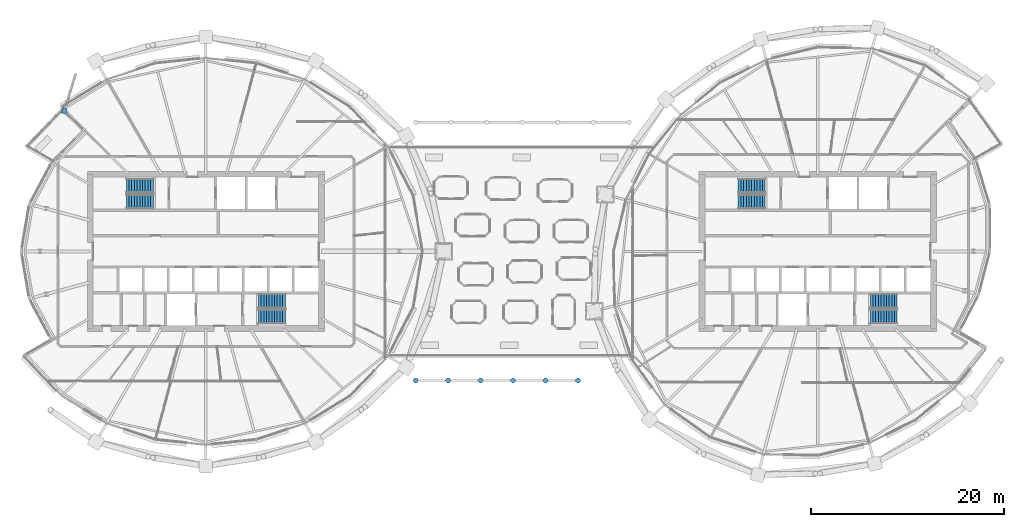
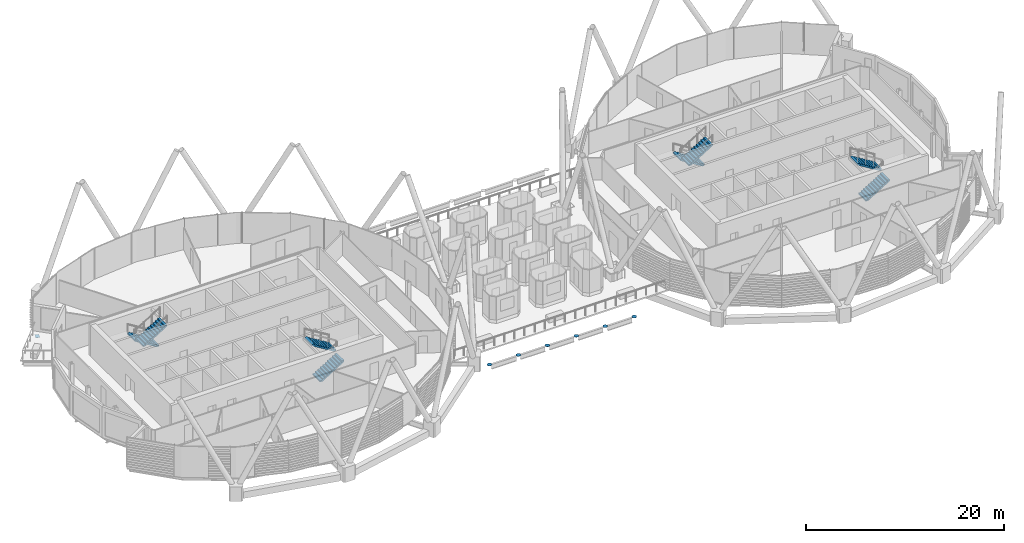
# One storey, part 30 of 38: 8 stair flights, 7 discrete accessories, 4 elements without a shape of their own.
"""IFC4 building model written with IfcOpenShell, lengths in metres."""

from ifc_helpers import new_model, si_unit, direction, frame, origin, origin_2d, place, context, subcontext, project, spatial, polyline, rectangle, outline, extrude, material, material_profile, profile_set, type_object, element, aggregate, save


model = new_model("IFC4")

# Units and contexts
model_context = context("Model", 3, precision=1e-05, world=origin(), true_north=direction((0.0, 1.0)))
body_context = subcontext(model_context, "Body", "Model", "MODEL_VIEW")
ifc_project = project(units=[si_unit("LENGTHUNIT", "METRE"), si_unit("AREAUNIT", "SQUARE_METRE"), si_unit("VOLUMEUNIT", "CUBIC_METRE"), si_unit("PLANEANGLEUNIT", "RADIAN"), si_unit("MASSUNIT", "GRAM", prefix="KILO")], contexts=[model_context])

# Site, building, storey
site_placement = place(None, origin())
site = spatial("IfcSite", under=ifc_project, at=site_placement, CompositionType="ELEMENT")
building_placement = place(site_placement, origin())
building = spatial("IfcBuilding", under=site, at=building_placement, Name="Rimbun Link Towers", CompositionType="ELEMENT")
storey_placement = place(building_placement, frame((0.0, 0.0, 158.89990234375)))
storey = spatial("IfcBuildingStorey", under=building, at=storey_placement, Name="L38", CompositionType="ELEMENT", Elevation=158.89990234375)

# Stair, stair flights
ifc_material_1 = material(Name="Concrete C40/50", Category="concrete")
stair_type = type_object("IfcStairType", Name="Exit stair 3800 rise", PredefinedType="HALF_TURN_STAIR", material=ifc_material_1)
stair_1_placement = place(storey_placement, origin())
stair_1 = element("IfcStair", 1, at=stair_1_placement, inside=storey, type_object=stair_type, Name="L38 EXIT STAIR A", PredefinedType="HALF_TURN_STAIR")
ifc_material_2 = material(Name="Concrete C40/50", Category="concrete")
stair_flight_type = type_object("IfcStairFlightType", Name="Exit stair flight 3800 rise", PredefinedType="STRAIGHT", material=ifc_material_2)
stair_flight_1_placement = place(storey_placement, frame((-37.199951171875, 6.800048828125, 0.0), z_axis=(0.0, 0.0, 1.0), x_axis=(-1.0, 0.0, 0.0)))
stair_flight_1 = element("IfcStairFlight", 2, at=stair_flight_1_placement, type_object=stair_flight_type, Name="ST1 flight 1", NumberOfRisers=11, NumberOfTreads=10, PredefinedType="STRAIGHT", RiserHeight=0.172727273, TreadLength=0.28, context=body_context, shape_type="SweptSolid", body=[
    extrude(outline(polyline([(0.0, 0.0), (0.0, 0.172607421875), (0.280029296875, 0.172607421875), (0.280029296875, 0.345458984375), (0.56005859375, 0.345458984375), (0.56005859375, 0.51806640625), (0.840087890625, 0.51806640625), (0.840087890625, 0.69091796875), (1.1201171875, 0.69091796875), (1.1201171875, 0.863525390625), (1.39990234375, 0.863525390625), (1.39990234375, 1.036376953125), (1.679931640625, 1.036376953125), (1.679931640625, 1.208984375), (1.9599609375, 1.208984375), (1.9599609375, 1.3818359375), (2.239990234375, 1.3818359375), (2.239990234375, 1.554443359375), (2.52001953125, 1.554443359375), (2.52001953125, 1.727294921875), (2.800048828125, 1.727294921875), (2.800048828125, 1.89990234375), (2.800048828125, 1.551025390625), (0.280029296875, 0.0), (0.0, 0.0)])), frame((0.0, 0.75, 0.0), z_axis=(0.0, -1.0, 0.0), x_axis=(1.0, 0.0, 0.0)), (0.0, 0.0, 1.0), 1.5),
])
stair_flight_2_placement = place(storey_placement, frame((-40.0, 5.14990234375, 1.900146484375), z_axis=(0.0, 0.0, 1.0), x_axis=(1.0, 0.0, 0.0)))
stair_flight_2 = element("IfcStairFlight", 3, at=stair_flight_2_placement, type_object=stair_flight_type, Name="ST1 flight 2", NumberOfRisers=11, NumberOfTreads=10, PredefinedType="STRAIGHT", RiserHeight=0.172727273, TreadLength=0.28, context=body_context, shape_type="SweptSolid", body=[
    extrude(outline(polyline([(0.0, 0.0), (0.0, 0.172607421875), (0.280029296875, 0.172607421875), (0.280029296875, 0.345458984375), (0.56005859375, 0.345458984375), (0.56005859375, 0.51806640625), (0.840087890625, 0.51806640625), (0.840087890625, 0.69091796875), (1.1201171875, 0.69091796875), (1.1201171875, 0.863525390625), (1.39990234375, 0.863525390625), (1.39990234375, 1.036376953125), (1.679931640625, 1.036376953125), (1.679931640625, 1.208984375), (1.9599609375, 1.208984375), (1.9599609375, 1.3818359375), (2.239990234375, 1.3818359375), (2.239990234375, 1.554443359375), (2.52001953125, 1.554443359375), (2.52001953125, 1.727294921875), (2.800048828125, 1.727294921875), (2.800048828125, 1.89990234375), (2.800048828125, 1.551025390625), (0.280029296875, 0.0), (0.0, 0.0)])), frame((0.0, 0.75, 0.0), z_axis=(0.0, -1.0, 0.0), x_axis=(1.0, 0.0, 0.0)), (0.0, 0.0, 1.0), 1.5),
])
aggregate(stair_1, [stair_flight_1, stair_flight_2])

stair_2_placement = place(storey_placement, origin())
stair_2 = element("IfcStair", 4, at=stair_2_placement, inside=storey, type_object=stair_type, Name="L38 EXIT STAIR B", PredefinedType="HALF_TURN_STAIR")
stair_flight_3_placement = place(storey_placement, frame((-26.300048828125, -6.800048828125, 0.0), z_axis=(0.0, 0.0, 1.0), x_axis=(1.0, 0.0, 0.0)))
stair_flight_3 = element("IfcStairFlight", 5, at=stair_flight_3_placement, type_object=stair_flight_type, Name="ST2 flight 1", NumberOfRisers=11, NumberOfTreads=10, PredefinedType="STRAIGHT", RiserHeight=0.172727273, TreadLength=0.28, context=body_context, shape_type="SweptSolid", body=[
    extrude(outline(polyline([(0.0, 0.0), (0.0, 0.172607421875), (0.280029296875, 0.172607421875), (0.280029296875, 0.345458984375), (0.56005859375, 0.345458984375), (0.56005859375, 0.51806640625), (0.840087890625, 0.51806640625), (0.840087890625, 0.69091796875), (1.1201171875, 0.69091796875), (1.1201171875, 0.863525390625), (1.39990234375, 0.863525390625), (1.39990234375, 1.036376953125), (1.679931640625, 1.036376953125), (1.679931640625, 1.208984375), (1.9599609375, 1.208984375), (1.9599609375, 1.3818359375), (2.239990234375, 1.3818359375), (2.239990234375, 1.554443359375), (2.52001953125, 1.554443359375), (2.52001953125, 1.727294921875), (2.800048828125, 1.727294921875), (2.800048828125, 1.89990234375), (2.800048828125, 1.551025390625), (0.280029296875, 0.0), (0.0, 0.0)])), frame((0.0, 0.75, 0.0), z_axis=(0.0, -1.0, 0.0), x_axis=(1.0, 0.0, 0.0)), (0.0, 0.0, 1.0), 1.5),
])
stair_flight_4_placement = place(storey_placement, frame((-23.5, -5.14990234375, 1.900146484375), z_axis=(0.0, 0.0, 1.0), x_axis=(-1.0, 0.0, 0.0)))
stair_flight_4 = element("IfcStairFlight", 6, at=stair_flight_4_placement, type_object=stair_flight_type, Name="ST2 flight 2", NumberOfRisers=11, NumberOfTreads=10, PredefinedType="STRAIGHT", RiserHeight=0.172727273, TreadLength=0.28, context=body_context, shape_type="SweptSolid", body=[
    extrude(outline(polyline([(0.0, 0.0), (0.0, 0.172607421875), (0.280029296875, 0.172607421875), (0.280029296875, 0.345458984375), (0.56005859375, 0.345458984375), (0.56005859375, 0.51806640625), (0.840087890625, 0.51806640625), (0.840087890625, 0.69091796875), (1.1201171875, 0.69091796875), (1.1201171875, 0.863525390625), (1.39990234375, 0.863525390625), (1.39990234375, 1.036376953125), (1.679931640625, 1.036376953125), (1.679931640625, 1.208984375), (1.9599609375, 1.208984375), (1.9599609375, 1.3818359375), (2.239990234375, 1.3818359375), (2.239990234375, 1.554443359375), (2.52001953125, 1.554443359375), (2.52001953125, 1.727294921875), (2.800048828125, 1.727294921875), (2.800048828125, 1.89990234375), (2.800048828125, 1.551025390625), (0.280029296875, 0.0), (0.0, 0.0)])), frame((0.0, 0.75, 0.0), z_axis=(0.0, -1.0, 0.0), x_axis=(1.0, 0.0, 0.0)), (0.0, 0.0, 1.0), 1.5),
])
aggregate(stair_2, [stair_flight_3, stair_flight_4])

stair_3_placement = place(storey_placement, origin())
stair_3 = element("IfcStair", 7, at=stair_3_placement, inside=storey, type_object=stair_type, Name="L38 EXIT STAIR A", PredefinedType="HALF_TURN_STAIR")
stair_flight_5_placement = place(storey_placement, frame((26.300048828125, 6.800048828125, 0.0), z_axis=(0.0, 0.0, 1.0), x_axis=(-1.0, 0.0, 0.0)))
stair_flight_5 = element("IfcStairFlight", 8, at=stair_flight_5_placement, type_object=stair_flight_type, Name="ST3 flight 1", NumberOfRisers=11, NumberOfTreads=10, PredefinedType="STRAIGHT", RiserHeight=0.172727273, TreadLength=0.28, context=body_context, shape_type="SweptSolid", body=[
    extrude(outline(polyline([(0.0, 0.0), (0.0, 0.172607421875), (0.280029296875, 0.172607421875), (0.280029296875, 0.345458984375), (0.56005859375, 0.345458984375), (0.56005859375, 0.51806640625), (0.840087890625, 0.51806640625), (0.840087890625, 0.69091796875), (1.1201171875, 0.69091796875), (1.1201171875, 0.863525390625), (1.39990234375, 0.863525390625), (1.39990234375, 1.036376953125), (1.679931640625, 1.036376953125), (1.679931640625, 1.208984375), (1.9599609375, 1.208984375), (1.9599609375, 1.3818359375), (2.239990234375, 1.3818359375), (2.239990234375, 1.554443359375), (2.52001953125, 1.554443359375), (2.52001953125, 1.727294921875), (2.800048828125, 1.727294921875), (2.800048828125, 1.89990234375), (2.800048828125, 1.551025390625), (0.280029296875, 0.0), (0.0, 0.0)])), frame((0.0, 0.75, 0.0), z_axis=(0.0, -1.0, 0.0), x_axis=(1.0, 0.0, 0.0)), (0.0, 0.0, 1.0), 1.5),
])
stair_flight_6_placement = place(storey_placement, frame((23.5, 5.14990234375, 1.900146484375), z_axis=(0.0, 0.0, 1.0), x_axis=(1.0, 0.0, 0.0)))
stair_flight_6 = element("IfcStairFlight", 9, at=stair_flight_6_placement, type_object=stair_flight_type, Name="ST3 flight 2", NumberOfRisers=11, NumberOfTreads=10, PredefinedType="STRAIGHT", RiserHeight=0.172727273, TreadLength=0.28, context=body_context, shape_type="SweptSolid", body=[
    extrude(outline(polyline([(0.0, 0.0), (0.0, 0.172607421875), (0.280029296875, 0.172607421875), (0.280029296875, 0.345458984375), (0.56005859375, 0.345458984375), (0.56005859375, 0.51806640625), (0.840087890625, 0.51806640625), (0.840087890625, 0.69091796875), (1.1201171875, 0.69091796875), (1.1201171875, 0.863525390625), (1.39990234375, 0.863525390625), (1.39990234375, 1.036376953125), (1.679931640625, 1.036376953125), (1.679931640625, 1.208984375), (1.9599609375, 1.208984375), (1.9599609375, 1.3818359375), (2.239990234375, 1.3818359375), (2.239990234375, 1.554443359375), (2.52001953125, 1.554443359375), (2.52001953125, 1.727294921875), (2.800048828125, 1.727294921875), (2.800048828125, 1.89990234375), (2.800048828125, 1.551025390625), (0.280029296875, 0.0), (0.0, 0.0)])), frame((0.0, 0.75, 0.0), z_axis=(0.0, -1.0, 0.0), x_axis=(1.0, 0.0, 0.0)), (0.0, 0.0, 1.0), 1.5),
])
aggregate(stair_3, [stair_flight_5, stair_flight_6])

stair_4_placement = place(storey_placement, origin())
stair_4 = element("IfcStair", 10, at=stair_4_placement, inside=storey, type_object=stair_type, Name="L38 EXIT STAIR B", PredefinedType="HALF_TURN_STAIR")
stair_flight_7_placement = place(storey_placement, frame((37.199951171875, -6.800048828125, 0.0), z_axis=(0.0, 0.0, 1.0), x_axis=(1.0, 0.0, 0.0)))
stair_flight_7 = element("IfcStairFlight", 11, at=stair_flight_7_placement, type_object=stair_flight_type, Name="ST4 flight 1", NumberOfRisers=11, NumberOfTreads=10, PredefinedType="STRAIGHT", RiserHeight=0.172727273, TreadLength=0.28, context=body_context, shape_type="SweptSolid", body=[
    extrude(outline(polyline([(0.0, 0.0), (0.0, 0.172607421875), (0.280029296875, 0.172607421875), (0.280029296875, 0.345458984375), (0.56005859375, 0.345458984375), (0.56005859375, 0.51806640625), (0.840087890625, 0.51806640625), (0.840087890625, 0.69091796875), (1.1201171875, 0.69091796875), (1.1201171875, 0.863525390625), (1.39990234375, 0.863525390625), (1.39990234375, 1.036376953125), (1.679931640625, 1.036376953125), (1.679931640625, 1.208984375), (1.9599609375, 1.208984375), (1.9599609375, 1.3818359375), (2.239990234375, 1.3818359375), (2.239990234375, 1.554443359375), (2.52001953125, 1.554443359375), (2.52001953125, 1.727294921875), (2.800048828125, 1.727294921875), (2.800048828125, 1.89990234375), (2.800048828125, 1.551025390625), (0.280029296875, 0.0), (0.0, 0.0)])), frame((0.0, 0.75, 0.0), z_axis=(0.0, -1.0, 0.0), x_axis=(1.0, 0.0, 0.0)), (0.0, 0.0, 1.0), 1.5),
])
stair_flight_8_placement = place(storey_placement, frame((40.0, -5.14990234375, 1.900146484375), z_axis=(0.0, 0.0, 1.0), x_axis=(-1.0, 0.0, 0.0)))
stair_flight_8 = element("IfcStairFlight", 12, at=stair_flight_8_placement, type_object=stair_flight_type, Name="ST4 flight 2", NumberOfRisers=11, NumberOfTreads=10, PredefinedType="STRAIGHT", RiserHeight=0.172727273, TreadLength=0.28, context=body_context, shape_type="SweptSolid", body=[
    extrude(outline(polyline([(0.0, 0.0), (0.0, 0.172607421875), (0.280029296875, 0.172607421875), (0.280029296875, 0.345458984375), (0.56005859375, 0.345458984375), (0.56005859375, 0.51806640625), (0.840087890625, 0.51806640625), (0.840087890625, 0.69091796875), (1.1201171875, 0.69091796875), (1.1201171875, 0.863525390625), (1.39990234375, 0.863525390625), (1.39990234375, 1.036376953125), (1.679931640625, 1.036376953125), (1.679931640625, 1.208984375), (1.9599609375, 1.208984375), (1.9599609375, 1.3818359375), (2.239990234375, 1.3818359375), (2.239990234375, 1.554443359375), (2.52001953125, 1.554443359375), (2.52001953125, 1.727294921875), (2.800048828125, 1.727294921875), (2.800048828125, 1.89990234375), (2.800048828125, 1.551025390625), (0.280029296875, 0.0), (0.0, 0.0)])), frame((0.0, 0.75, 0.0), z_axis=(0.0, -1.0, 0.0), x_axis=(1.0, 0.0, 0.0)), (0.0, 0.0, 1.0), 1.5),
])
aggregate(stair_4, [stair_flight_7, stair_flight_8])

# Discrete accessories
ifc_material_3 = material(Name="Steel S355J2H", Category="steel")
ifc_material_profile = material_profile(ifc_material_3, rectangle(XDim=0.43310546875, YDim=0.43310546875, at=origin_2d()), Name="PL 433x433")
ifc_profile_set = profile_set([ifc_material_profile], Name="Steel S355J2H")
discrete_accessory_type = type_object("IfcDiscreteAccessoryType", Name="Link head end plate 433X20", PredefinedType="BRACKET", material=ifc_profile_set)
discrete_accessory_1_placement = place(storey_placement, frame((0.0, 0.0, -0.702880859375)))
element("IfcDiscreteAccessory", 13, at=discrete_accessory_1_placement, inside=storey, type_object=discrete_accessory_type, Name="Link head end plate T1 L38 09", PredefinedType="BRACKET", context=body_context, shape_type="SweptSolid", body=[
    extrude(outline(polyline([(-46.3134765625, 14.246337890625), (-46.147705078125, 14.78271484375), (-46.561279296875, 14.910400390625), (-46.72705078125, 14.374267578125), (-46.3134765625, 14.246337890625)])), origin(), (0.0, 0.0, 1.0), 0.019775390625),
])
discrete_accessory_2_placement = place(storey_placement, origin())
element("IfcDiscreteAccessory", 14, at=discrete_accessory_2_placement, inside=storey, Name="Link megaframe post cap", PredefinedType="BRACKET", context=body_context, shape_type="SweptSolid", body=[
    extrude(outline(polyline([(-9.72412109375, -13.39990234375), (-9.743408203125, -13.302734375), (-9.79833984375, -13.220458984375), (-9.880859375, -13.165283203125), (-9.97802734375, -13.14599609375), (-10.0751953125, -13.165283203125), (-10.15771484375, -13.220458984375), (-10.212646484375, -13.302734375), (-10.23193359375, -13.39990234375), (-10.212646484375, -13.497314453125), (-10.15771484375, -13.57958984375), (-10.0751953125, -13.634765625), (-9.97802734375, -13.654052734375), (-9.880859375, -13.634765625), (-9.79833984375, -13.57958984375), (-9.743408203125, -13.497314453125), (-9.72412109375, -13.39990234375)])), origin(), (0.0, 0.0, 1.0), 0.02001953125),
])
discrete_accessory_3_placement = place(storey_placement, origin())
element("IfcDiscreteAccessory", 15, at=discrete_accessory_3_placement, inside=storey, Name="Link megaframe post cap", PredefinedType="BRACKET", context=body_context, shape_type="SweptSolid", body=[
    extrude(outline(polyline([(-6.35498046875, -13.39990234375), (-6.37451171875, -13.302734375), (-6.429443359375, -13.220458984375), (-6.511962890625, -13.165283203125), (-6.609130859375, -13.14599609375), (-6.706298828125, -13.165283203125), (-6.788818359375, -13.220458984375), (-6.84375, -13.302734375), (-6.863037109375, -13.39990234375), (-6.84375, -13.497314453125), (-6.788818359375, -13.57958984375), (-6.706298828125, -13.634765625), (-6.609130859375, -13.654052734375), (-6.511962890625, -13.634765625), (-6.429443359375, -13.57958984375), (-6.37451171875, -13.497314453125), (-6.35498046875, -13.39990234375)])), origin(), (0.0, 0.0, 1.0), 0.02001953125),
])
discrete_accessory_4_placement = place(storey_placement, origin())
element("IfcDiscreteAccessory", 16, at=discrete_accessory_4_placement, inside=storey, Name="Link megaframe post cap", PredefinedType="BRACKET", context=body_context, shape_type="SweptSolid", body=[
    extrude(outline(polyline([(-2.986083984375, -13.39990234375), (-3.00537109375, -13.302734375), (-3.060546875, -13.220458984375), (-3.142822265625, -13.165283203125), (-3.239990234375, -13.14599609375), (-3.33740234375, -13.165283203125), (-3.419677734375, -13.220458984375), (-3.474853515625, -13.302734375), (-3.494140625, -13.39990234375), (-3.474853515625, -13.497314453125), (-3.419677734375, -13.57958984375), (-3.33740234375, -13.634765625), (-3.239990234375, -13.654052734375), (-3.142822265625, -13.634765625), (-3.060546875, -13.57958984375), (-3.00537109375, -13.497314453125), (-2.986083984375, -13.39990234375)])), origin(), (0.0, 0.0, 1.0), 0.02001953125),
])
discrete_accessory_5_placement = place(storey_placement, origin())
element("IfcDiscreteAccessory", 17, at=discrete_accessory_5_placement, inside=storey, Name="Link megaframe post cap", PredefinedType="BRACKET", context=body_context, shape_type="SweptSolid", body=[
    extrude(outline(polyline([(0.3828125, -13.39990234375), (0.363525390625, -13.302734375), (0.308349609375, -13.220458984375), (0.22607421875, -13.165283203125), (0.12890625, -13.14599609375), (0.031494140625, -13.165283203125), (-0.05078125, -13.220458984375), (-0.10595703125, -13.302734375), (-0.125244140625, -13.39990234375), (-0.10595703125, -13.497314453125), (-0.05078125, -13.57958984375), (0.031494140625, -13.634765625), (0.12890625, -13.654052734375), (0.22607421875, -13.634765625), (0.308349609375, -13.57958984375), (0.363525390625, -13.497314453125), (0.3828125, -13.39990234375)])), origin(), (0.0, 0.0, 1.0), 0.02001953125),
])
discrete_accessory_6_placement = place(storey_placement, origin())
element("IfcDiscreteAccessory", 18, at=discrete_accessory_6_placement, inside=storey, Name="Link megaframe post cap", PredefinedType="BRACKET", context=body_context, shape_type="SweptSolid", body=[
    extrude(outline(polyline([(3.751708984375, -13.39990234375), (3.732421875, -13.302734375), (3.677490234375, -13.220458984375), (3.594970703125, -13.165283203125), (3.497802734375, -13.14599609375), (3.400634765625, -13.165283203125), (3.318115234375, -13.220458984375), (3.26318359375, -13.302734375), (3.243896484375, -13.39990234375), (3.26318359375, -13.497314453125), (3.318115234375, -13.57958984375), (3.400634765625, -13.634765625), (3.497802734375, -13.654052734375), (3.594970703125, -13.634765625), (3.677490234375, -13.57958984375), (3.732421875, -13.497314453125), (3.751708984375, -13.39990234375)])), origin(), (0.0, 0.0, 1.0), 0.02001953125),
])
discrete_accessory_7_placement = place(storey_placement, origin())
element("IfcDiscreteAccessory", 19, at=discrete_accessory_7_placement, inside=storey, Name="Link megaframe post cap", PredefinedType="BRACKET", context=body_context, shape_type="SweptSolid", body=[
    extrude(outline(polyline([(7.12060546875, -13.39990234375), (7.101318359375, -13.302734375), (7.04638671875, -13.220458984375), (6.9638671875, -13.165283203125), (6.86669921875, -13.14599609375), (6.76953125, -13.165283203125), (6.68701171875, -13.220458984375), (6.632080078125, -13.302734375), (6.61279296875, -13.39990234375), (6.632080078125, -13.497314453125), (6.68701171875, -13.57958984375), (6.76953125, -13.634765625), (6.86669921875, -13.654052734375), (6.9638671875, -13.634765625), (7.04638671875, -13.57958984375), (7.101318359375, -13.497314453125), (7.12060546875, -13.39990234375)])), origin(), (0.0, 0.0, 1.0), 0.02001953125),
])

save(model, "model.ifc")
